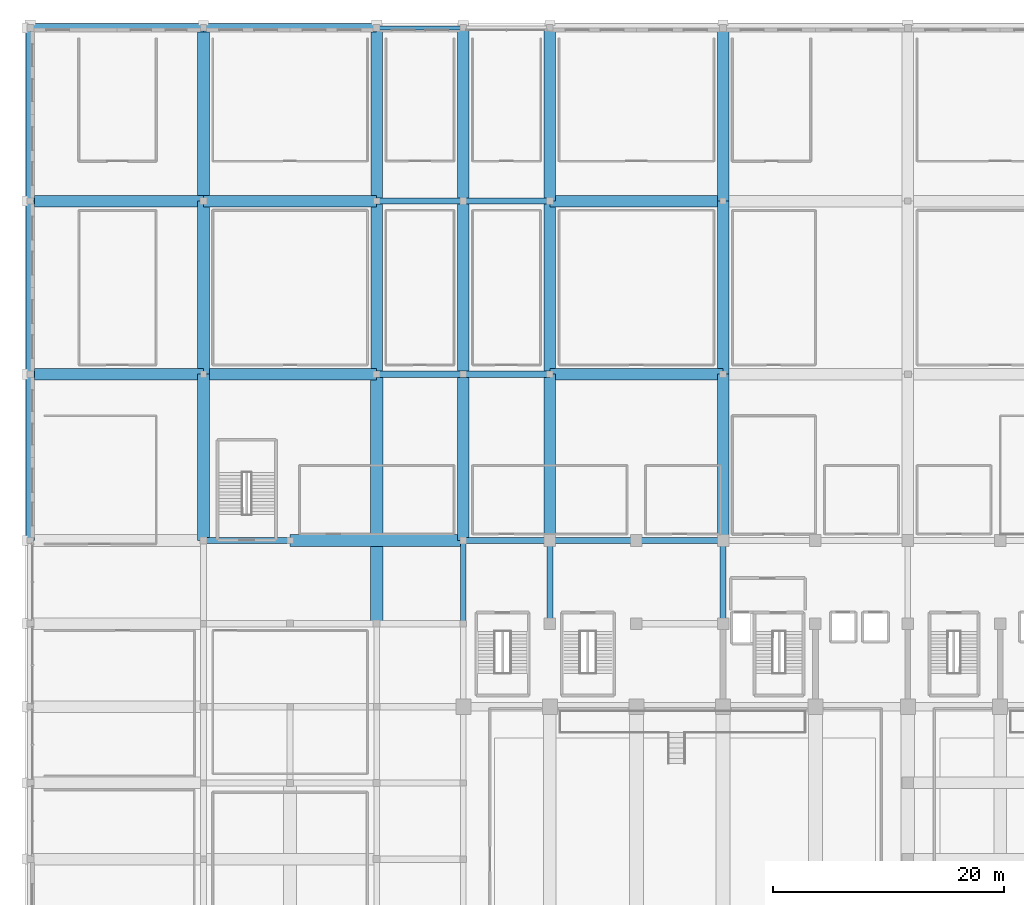
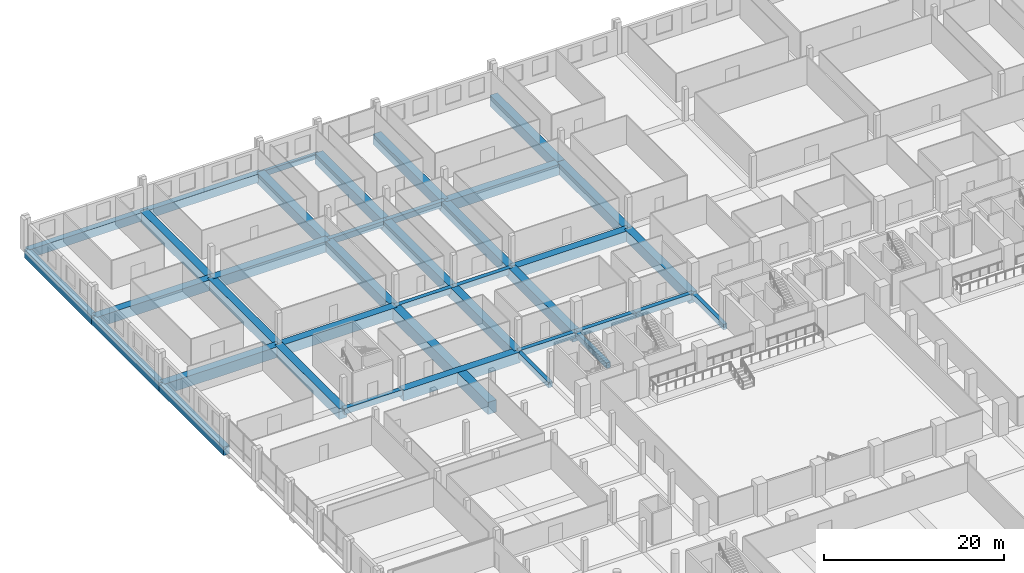
# One storey, part 29 of 68: 39 beams.
"""IFC4 building model written with IfcOpenShell, lengths in metres."""

from ifc_helpers import new_model, si_unit, direction, frame, origin, origin_2d, place, context, subcontext, project, spatial, rectangle, extrude, material, material_profile, profile_set, type_object, element, save


model = new_model("IFC4")

# Units and contexts
model_context = context("Model", 3, precision=1e-05, world=origin(), true_north=direction((0.0, 1.0)))
body_context = subcontext(model_context, "Body", "Model", "MODEL_VIEW")
ifc_project = project(units=[si_unit("LENGTHUNIT", "METRE"), si_unit("AREAUNIT", "SQUARE_METRE"), si_unit("VOLUMEUNIT", "CUBIC_METRE"), si_unit("PLANEANGLEUNIT", "RADIAN"), si_unit("MASSUNIT", "GRAM", prefix="KILO")], contexts=[model_context])

# Site, building, storey
site_placement = place(None, origin())
site = spatial("IfcSite", under=ifc_project, at=site_placement, CompositionType="ELEMENT")
building_placement = place(site_placement, origin())
building = spatial("IfcBuilding", under=site, at=building_placement, Name="Akrevak Sports Hall", CompositionType="ELEMENT")
storey_placement = place(building_placement, frame((0.0, 0.0, 9.39990234375)))
storey = spatial("IfcBuildingStorey", under=building, at=storey_placement, Name="L02", CompositionType="ELEMENT", Elevation=9.39990234375)

# Beams
ifc_material_1 = material(Name="Concrete C50/60", Category="concrete")
ifc_material_profile_1 = material_profile(ifc_material_1, rectangle(XDim=1.0, YDim=1.449951171875, at=origin_2d()), Name="BM 1000x1450", Category="concrete")
ifc_profile_set_1 = profile_set([ifc_material_profile_1], Name="Concrete C50/60")
beam_type_1 = type_object("IfcBeamType", Name="STR-BM-LG1000x1450", PredefinedType="BEAM", material=ifc_profile_set_1)
for number, where, z_axis, x_axis, name in (
    (1, (22.5, 69.60009765625, -0.724853515625), (1.0, 0.0, 0.0), (0.0, 1.0, 0.0), "Girder K/4-6 (L02)"),
    (2, (0.0, 84.0, -0.724853515625), (1.0, 0.0, 0.0), (0.0, 1.0, 0.0), "Girder M/1-3 (L02)"),
    (3, (15.0, 84.0, -0.724853515625), (1.0, 0.0, 0.0), (0.0, 1.0, 0.0), "Girder M/3-5 (L02)"),
    (4, (45.0, 84.0, -0.724853515625), (1.0, 0.0, 0.0), (0.0, 1.0, 0.0), "Girder M/7-9 (L02)"),
    (5, (0.0, 99.0, -0.724853515625), (1.0, 0.0, 0.0), (0.0, 1.0, 0.0), "Girder O/1-3 (L02)"),
    (6, (15.0, 99.0, -0.724853515625), (1.0, 0.0, 0.0), (0.0, 1.0, 0.0), "Girder O/3-5 (L02)"),
    (7, (45.0, 99.0, -0.724853515625), (1.0, 0.0, 0.0), (0.0, 1.0, 0.0), "Girder O/7-9 (L02)"),
):
    element("IfcBeam", number, at=place(storey_placement, frame(where, z_axis=z_axis, x_axis=x_axis)), inside=storey, type_object=beam_type_1, Name=name, PredefinedType="BEAM", context=body_context, shape_type="SweptSolid", body=[
        extrude(rectangle(XDim=1.0, YDim=1.449951171875, at=origin_2d()), origin(), (0.0, 0.0, 1.0), 15.0),
    ])
beam_1_placement = place(storey_placement, frame((15.0, 69.60009765625, -0.724853515625), z_axis=(0.0, 1.0, 0.0), x_axis=(-1.0, 0.0, 0.0)))
element("IfcBeam", 8, at=beam_1_placement, inside=storey, type_object=beam_type_1, Name="Girder 3/K-M (L02)", PredefinedType="BEAM", context=body_context, shape_type="SweptSolid", body=[
    extrude(rectangle(XDim=1.0, YDim=1.449951171875, at=origin_2d()), origin(), (0.0, 0.0, 1.0), 14.39990234375),
])
for number, where, z_axis, x_axis, name in (
    (9, (15.0, 84.0, -0.724853515625), (0.0, 1.0, 0.0), (-1.0, 0.0, 0.0), "Girder 3/M-O (L02)"),
    (10, (15.0, 99.0, -0.724853515625), (0.0, 1.0, 0.0), (-1.0, 0.0, 0.0), "Girder 3/O-Q (L02)"),
    (11, (30.0, 84.0, -0.724853515625), (0.0, 1.0, 0.0), (-1.0, 0.0, 0.0), "Girder 5/M-O (L02)"),
    (12, (30.0, 99.0, -0.724853515625), (0.0, 1.0, 0.0), (-1.0, 0.0, 0.0), "Girder 5/O-Q (L02)"),
):
    element("IfcBeam", number, at=place(storey_placement, frame(where, z_axis=z_axis, x_axis=x_axis)), inside=storey, type_object=beam_type_1, Name=name, PredefinedType="BEAM", context=body_context, shape_type="SweptSolid", body=[
        extrude(rectangle(XDim=1.0, YDim=1.449951171875, at=origin_2d()), origin(), (0.0, 0.0, 1.0), 15.0),
    ])
beam_2_placement = place(storey_placement, frame((37.5, 69.60009765625, -0.724853515625), z_axis=(0.0, 1.0, 0.0), x_axis=(-1.0, 0.0, 0.0)))
element("IfcBeam", 13, at=beam_2_placement, inside=storey, type_object=beam_type_1, Name="Girder 6/K-M (L02)", PredefinedType="BEAM", context=body_context, shape_type="SweptSolid", body=[
    extrude(rectangle(XDim=1.0, YDim=1.449951171875, at=origin_2d()), origin(), (0.0, 0.0, 1.0), 14.39990234375),
])
for number, where, z_axis, x_axis, name in (
    (14, (37.5, 84.0, -0.724853515625), (0.0, 1.0, 0.0), (-1.0, 0.0, 0.0), "Girder 6/M-O (L02)"),
    (15, (37.5, 99.0, -0.724853515625), (0.0, 1.0, 0.0), (-1.0, 0.0, 0.0), "Girder 6/O-Q (L02)"),
):
    element("IfcBeam", number, at=place(storey_placement, frame(where, z_axis=z_axis, x_axis=x_axis)), inside=storey, type_object=beam_type_1, Name=name, PredefinedType="BEAM", context=body_context, shape_type="SweptSolid", body=[
        extrude(rectangle(XDim=1.0, YDim=1.449951171875, at=origin_2d()), origin(), (0.0, 0.0, 1.0), 15.0),
    ])
beam_3_placement = place(storey_placement, frame((45.0, 69.60009765625, -0.724853515625), z_axis=(0.0, 1.0, 0.0), x_axis=(-1.0, 0.0, 0.0)))
element("IfcBeam", 16, at=beam_3_placement, inside=storey, type_object=beam_type_1, Name="Girder 7/K-M (L02)", PredefinedType="BEAM", context=body_context, shape_type="SweptSolid", body=[
    extrude(rectangle(XDim=1.0, YDim=1.449951171875, at=origin_2d()), origin(), (0.0, 0.0, 1.0), 14.39990234375),
])
for number, where, z_axis, x_axis, name in (
    (17, (45.0, 84.0, -0.724853515625), (0.0, 1.0, 0.0), (-1.0, 0.0, 0.0), "Girder 7/M-O (L02)"),
    (18, (45.0, 99.0, -0.724853515625), (0.0, 1.0, 0.0), (-1.0, 0.0, 0.0), "Girder 7/O-Q (L02)"),
):
    element("IfcBeam", number, at=place(storey_placement, frame(where, z_axis=z_axis, x_axis=x_axis)), inside=storey, type_object=beam_type_1, Name=name, PredefinedType="BEAM", context=body_context, shape_type="SweptSolid", body=[
        extrude(rectangle(XDim=1.0, YDim=1.449951171875, at=origin_2d()), origin(), (0.0, 0.0, 1.0), 15.0),
    ])
beam_4_placement = place(storey_placement, frame((60.0, 69.60009765625, -0.724853515625), z_axis=(0.0, 1.0, 0.0), x_axis=(-1.0, 0.0, 0.0)))
element("IfcBeam", 19, at=beam_4_placement, inside=storey, type_object=beam_type_1, Name="Girder 9/K-M (L02)", PredefinedType="BEAM", context=body_context, shape_type="SweptSolid", body=[
    extrude(rectangle(XDim=1.0, YDim=1.449951171875, at=origin_2d()), origin(), (0.0, 0.0, 1.0), 14.39990234375),
])
for number, where, z_axis, x_axis, name in (
    (20, (60.0, 84.0, -0.724853515625), (0.0, 1.0, 0.0), (-1.0, 0.0, 0.0), "Girder 9/M-O (L02)"),
    (21, (60.0, 99.0, -0.724853515625), (0.0, 1.0, 0.0), (-1.0, 0.0, 0.0), "Girder 9/O-Q (L02)"),
):
    element("IfcBeam", number, at=place(storey_placement, frame(where, z_axis=z_axis, x_axis=x_axis)), inside=storey, type_object=beam_type_1, Name=name, PredefinedType="BEAM", context=body_context, shape_type="SweptSolid", body=[
        extrude(rectangle(XDim=1.0, YDim=1.449951171875, at=origin_2d()), origin(), (0.0, 0.0, 1.0), 15.0),
    ])
ifc_material_profile_2 = material_profile(ifc_material_1, rectangle(XDim=1.10009765625, YDim=1.64990234375, at=origin_2d()), Name="BM 1100x1650", Category="concrete")
ifc_profile_set_2 = profile_set([ifc_material_profile_2], Name="Concrete C50/60")
beam_type_2 = type_object("IfcBeamType", Name="STR-BM-LG1100x1650", PredefinedType="BEAM", material=ifc_profile_set_2)
beam_5_placement = place(storey_placement, frame((30.0, 62.39990234375, -0.824951171875), z_axis=(0.0, 1.0, 0.0), x_axis=(-1.0, 0.0, 0.0)))
element("IfcBeam", 22, at=beam_5_placement, inside=storey, type_object=beam_type_2, Name="Girder 5/J-M (L02)", PredefinedType="BEAM", context=body_context, shape_type="SweptSolid", body=[
    extrude(rectangle(XDim=1.10009765625, YDim=1.64990234375, at=origin_2d()), origin(), (0.0, 0.0, 1.0), 21.60009765625),
])
ifc_material_2 = material(Name="Concrete C40/50", Category="concrete")
ifc_material_profile_3 = material_profile(ifc_material_2, rectangle(XDim=0.5, YDim=0.75, at=origin_2d()), Name="BM 500x750", Category="concrete")
ifc_profile_set_3 = profile_set([ifc_material_profile_3], Name="Concrete C40/50")
beam_type_3 = type_object("IfcBeamType", Name="STR-BM-RC500x750", PredefinedType="BEAM", material=ifc_profile_set_3)
for number, where, z_axis, x_axis, name in (
    (23, (37.5, 62.39990234375, -0.375), (0.0, 1.0, 0.0), (-1.0, 0.0, 0.0), "Girder 6/J-K (L02)"),
    (24, (45.0, 62.39990234375, -0.375), (0.0, 1.0, 0.0), (-1.0, 0.0, 0.0), "Girder 7/J-K (L02)"),
    (25, (60.0, 62.39990234375, -0.375), (0.0, 1.0, 0.0), (-1.0, 0.0, 0.0), "Girder 9/J-K (L02)"),
):
    element("IfcBeam", number, at=place(storey_placement, frame(where, z_axis=z_axis, x_axis=x_axis)), inside=storey, type_object=beam_type_3, Name=name, PredefinedType="BEAM", context=body_context, shape_type="SweptSolid", body=[
        extrude(rectangle(XDim=0.5, YDim=0.75, at=origin_2d()), origin(), (0.0, 0.0, 1.0), 7.2001953125),
    ])
ifc_material_profile_4 = material_profile(ifc_material_2, rectangle(XDim=0.550048828125, YDim=0.800048828125, at=origin_2d()), Name="BM 550x800", Category="concrete")
ifc_profile_set_4 = profile_set([ifc_material_profile_4], Name="Concrete C40/50")
beam_type_4 = type_object("IfcBeamType", Name="STR-BM-RC550x800", PredefinedType="BEAM", material=ifc_profile_set_4)
for number, where, z_axis, x_axis, name in (
    (26, (15.0, 69.60009765625, -0.39990234375), (1.0, 0.0, 0.0), (0.0, 1.0, 0.0), "Girder K/3-4 (L02)"),
    (27, (37.5, 69.60009765625, -0.39990234375), (1.0, 0.0, 0.0), (0.0, 1.0, 0.0), "Girder K/6-7 (L02)"),
    (28, (45.0, 69.60009765625, -0.39990234375), (1.0, 0.0, 0.0), (0.0, 1.0, 0.0), "Girder K/7-8 (L02)"),
    (29, (52.5, 69.60009765625, -0.39990234375), (1.0, 0.0, 0.0), (0.0, 1.0, 0.0), "Girder K/8-9 (L02)"),
    (30, (30.0, 84.0, -0.39990234375), (1.0, 0.0, 0.0), (0.0, 1.0, 0.0), "Girder M/5-6 (L02)"),
    (31, (37.5, 84.0, -0.39990234375), (1.0, 0.0, 0.0), (0.0, 1.0, 0.0), "Girder M/6-7 (L02)"),
    (32, (30.0, 99.0, -0.39990234375), (1.0, 0.0, 0.0), (0.0, 1.0, 0.0), "Girder O/5-6 (L02)"),
    (33, (37.5, 99.0, -0.39990234375), (1.0, 0.0, 0.0), (0.0, 1.0, 0.0), "Girder O/6-7 (L02)"),
):
    element("IfcBeam", number, at=place(storey_placement, frame(where, z_axis=z_axis, x_axis=x_axis)), inside=storey, type_object=beam_type_4, Name=name, PredefinedType="BEAM", context=body_context, shape_type="SweptSolid", body=[
        extrude(rectangle(XDim=0.550048828125, YDim=0.800048828125, at=origin_2d()), origin(), (0.0, 0.0, 1.0), 7.5),
    ])
ifc_material_profile_5 = material_profile(ifc_material_1, rectangle(XDim=0.75, YDim=1.14990234375, at=origin_2d()), Name="SPD 750x1150", Category="concrete")
ifc_profile_set_5 = profile_set([ifc_material_profile_5], Name="Concrete C50/60")
beam_type_5 = type_object("IfcBeamType", Name="STR-SPD-LSP750x1150", PredefinedType="SPANDREL", material=ifc_profile_set_5)
for number, where, z_axis, x_axis, name in (
    (34, (0.0, 114.0, -0.574951171875), (1.0, 0.0, 0.0), (0.0, 1.0, 0.0), "Girder Q/1-3 (L02)"),
    (35, (15.0, 114.0, -0.574951171875), (1.0, 0.0, 0.0), (0.0, 1.0, 0.0), "Girder Q/3-5 (L02)"),
):
    element("IfcBeam", number, at=place(storey_placement, frame(where, z_axis=z_axis, x_axis=x_axis)), inside=storey, type_object=beam_type_5, Name=name, PredefinedType="SPANDREL", context=body_context, shape_type="SweptSolid", body=[
        extrude(rectangle(XDim=0.75, YDim=1.14990234375, at=origin_2d()), origin(), (0.0, 0.0, 1.0), 15.0),
    ])
beam_6_placement = place(storey_placement, frame((0.0, 69.60009765625, -0.574951171875), z_axis=(0.0, 1.0, 0.0), x_axis=(-1.0, 0.0, 0.0)))
element("IfcBeam", 36, at=beam_6_placement, inside=storey, type_object=beam_type_5, Name="Girder 1/K-M (L02)", PredefinedType="SPANDREL", context=body_context, shape_type="SweptSolid", body=[
    extrude(rectangle(XDim=0.75, YDim=1.14990234375, at=origin_2d()), origin(), (0.0, 0.0, 1.0), 14.39990234375),
])
for number, where, z_axis, x_axis, name in (
    (37, (0.0, 84.0, -0.574951171875), (0.0, 1.0, 0.0), (-1.0, 0.0, 0.0), "Girder 1/M-O (L02)"),
    (38, (0.0, 99.0, -0.574951171875), (0.0, 1.0, 0.0), (-1.0, 0.0, 0.0), "Girder 1/O-Q (L02)"),
):
    element("IfcBeam", number, at=place(storey_placement, frame(where, z_axis=z_axis, x_axis=x_axis)), inside=storey, type_object=beam_type_5, Name=name, PredefinedType="SPANDREL", context=body_context, shape_type="SweptSolid", body=[
        extrude(rectangle(XDim=0.75, YDim=1.14990234375, at=origin_2d()), origin(), (0.0, 0.0, 1.0), 15.0),
    ])
ifc_material_profile_6 = material_profile(ifc_material_2, rectangle(XDim=0.35009765625, YDim=0.75, at=origin_2d()), Name="SPD 350x750", Category="concrete")
ifc_profile_set_6 = profile_set([ifc_material_profile_6], Name="Concrete C40/50")
beam_type_6 = type_object("IfcBeamType", Name="STR-SPD-RC350x750", PredefinedType="SPANDREL", material=ifc_profile_set_6)
beam_7_placement = place(storey_placement, frame((30.0, 114.0, -0.375), z_axis=(1.0, 0.0, 0.0), x_axis=(0.0, 1.0, 0.0)))
element("IfcBeam", 39, at=beam_7_placement, inside=storey, type_object=beam_type_6, Name="Girder Q/5-6 (L02)", PredefinedType="SPANDREL", context=body_context, shape_type="SweptSolid", body=[
    extrude(rectangle(XDim=0.35009765625, YDim=0.75, at=origin_2d()), origin(), (0.0, 0.0, 1.0), 7.5),
])

save(model, "model.ifc")
